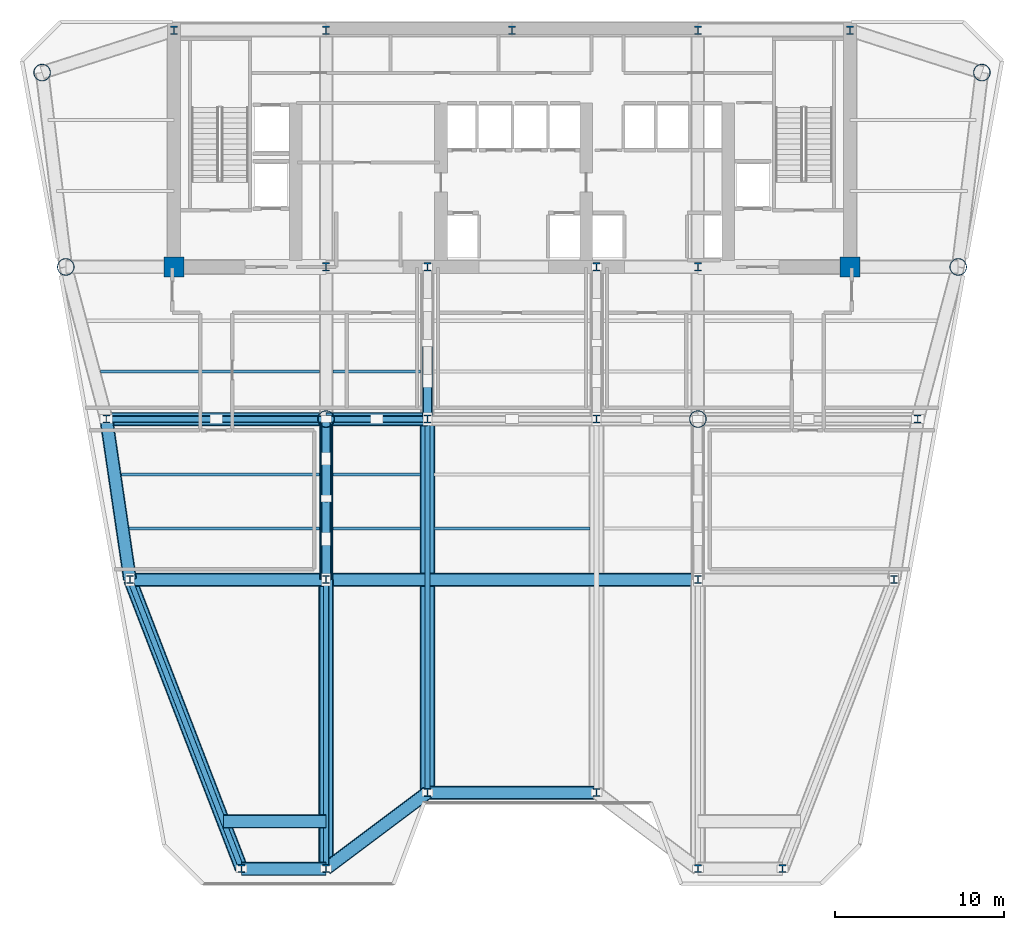
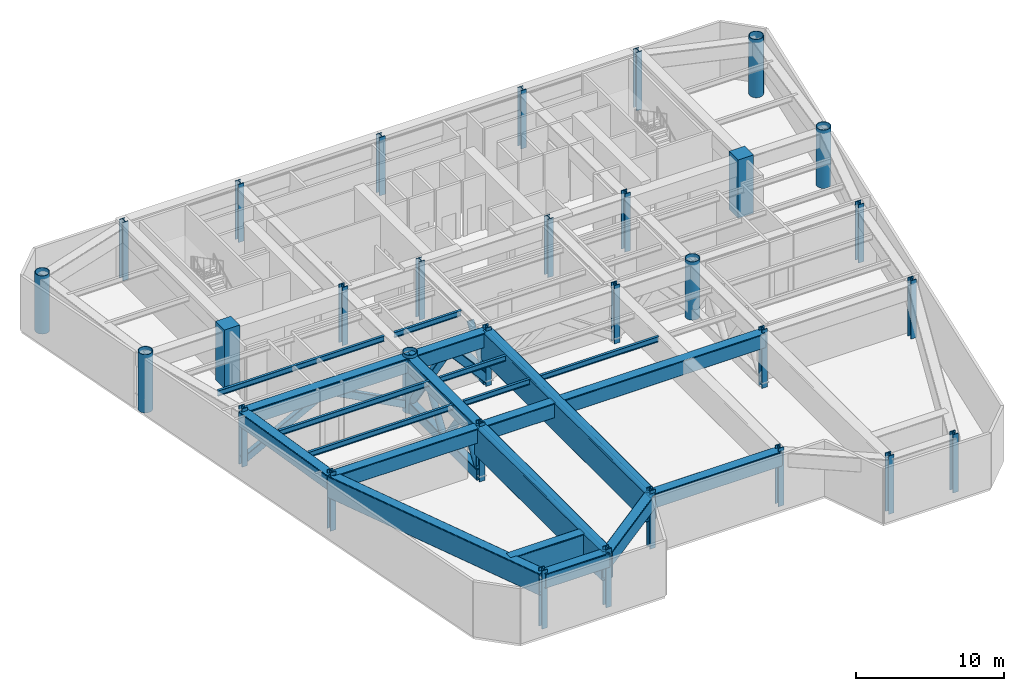
# One storey, part 1 of 10: 31 columns, 20 beams, 15 members.
"""IFC4 building model written with IfcOpenShell, lengths in metres."""

from ifc_helpers import new_model, si_unit, direction, frame, origin, origin_2d, place, context, subcontext, project, spatial, rectangle, hollow_rectangle, hollow_circle, i_section, extrude, source, transform, mapped, material, material_profile, profile_set, type_object, element, save


model = new_model("IFC4")

# Units and contexts
model_context = context("Model", 3, precision=1e-05, world=origin(), true_north=direction((0.0, 1.0)))
body_context = subcontext(model_context, "Body", "Model", "MODEL_VIEW")
ifc_project = project(units=[si_unit("LENGTHUNIT", "METRE"), si_unit("AREAUNIT", "SQUARE_METRE"), si_unit("VOLUMEUNIT", "CUBIC_METRE"), si_unit("PLANEANGLEUNIT", "RADIAN"), si_unit("MASSUNIT", "GRAM", prefix="KILO")], contexts=[model_context])

# Site, building, storey
site_placement = place(None, origin())
site = spatial("IfcSite", under=ifc_project, at=site_placement, CompositionType="ELEMENT")
building_placement = place(site_placement, origin())
building = spatial("IfcBuilding", under=site, at=building_placement, Name="Vaeldorn Concourse Tower", CompositionType="ELEMENT")
storey_placement = place(building_placement, frame((0.0, 0.0, 149.0)))
storey = spatial("IfcBuildingStorey", under=building, at=storey_placement, Name="L38", CompositionType="ELEMENT", Elevation=149.0)

# Columns
ifc_material_1 = material(Name="Concrete C50/60", Category="concrete")
ifc_material_profile_1 = material_profile(ifc_material_1, rectangle(XDim=1.199951171875, YDim=1.199951171875, at=origin_2d()), Name="RC 1200x1200")
ifc_profile_set_1 = profile_set([ifc_material_profile_1], Name="Concrete C50/60")
column_type_1 = type_object("IfcColumnType", Name="COL-RC1200", PredefinedType="COLUMN", material=ifc_profile_set_1)
shared_shape_1 = source(origin(), body_context, "Body", "SweptSolid", [
    extrude(rectangle(XDim=1.199951171875, YDim=1.199951171875, at=origin_2d()), origin(), (0.0, 0.0, 1.0), 4.800048828125),
])
for number, where, z_axis, x_axis, name in (
    (1, (14.0, 36.5, 0.0), (0.0, 0.0, 1.0), (1.0, 0.0, 0.0), "Column C-FC1 L38"),
    (2, (54.0, 36.5, 0.0), (0.0, 0.0, 1.0), (1.0, 0.0, 0.0), "Column C-FC6 L38"),
):
    element("IfcColumn", number, at=place(storey_placement, frame(where, z_axis=z_axis, x_axis=x_axis)), inside=storey, type_object=column_type_1, Name=name, PredefinedType="COLUMN", context=body_context, shape_type="MappedRepresentation", body=[
        mapped(shared_shape_1, transform((0.0, 0.0, 0.0), scale=1.0)),
    ])
ifc_material_2 = material(Name="Steel S460", Category="steel")
ifc_material_profile_2 = material_profile(ifc_material_2, i_section(OverallWidth=0.431884765625, OverallDepth=0.498046875, WebThickness=0.054931640625, FlangeThickness=0.068115234375, FilletRadius=0.014892578125, at=origin_2d()), Name="HD 400x744")
ifc_profile_set_2 = profile_set([ifc_material_profile_2], Name="Steel S460")
column_type_2 = type_object("IfcColumnType", Name="COL-HD744", PredefinedType="COLUMN", material=ifc_profile_set_2)
shared_shape_2 = source(origin(), body_context, "Body", "SweptSolid", [
    extrude(i_section(OverallWidth=0.431884765625, OverallDepth=0.498046875, WebThickness=0.054931640625, FlangeThickness=0.068115234375, FilletRadius=0.014892578125, at=origin_2d()), origin(), (0.0, 0.0, 1.0), 4.800048828125),
])
for number, where, z_axis, x_axis, name in (
    (3, (23.0, 36.5, 0.0), (0.0, 0.0, 1.0), (1.0, 0.0, 0.0), "Column C-FC2 L38"),
    (4, (29.0, 36.5, 0.0), (0.0, 0.0, 1.0), (1.0, 0.0, 0.0), "Column C-FC3 L38"),
    (5, (39.0, 36.5, 0.0), (0.0, 0.0, 1.0), (1.0, 0.0, 0.0), "Column C-FC4 L38"),
    (6, (45.0, 36.5, 0.0), (0.0, 0.0, 1.0), (1.0, 0.0, 0.0), "Column C-FC5 L38"),
    (7, (14.0, 50.5, 0.0), (0.0, 0.0, 1.0), (1.0, 0.0, 0.0), "Column C-HC1 L38"),
    (8, (23.0, 50.5, 0.0), (0.0, 0.0, 1.0), (1.0, 0.0, 0.0), "Column C-HC2 L38"),
    (9, (34.0, 50.5, 0.0), (0.0, 0.0, 1.0), (1.0, 0.0, 0.0), "Column C-HC3 L38"),
    (10, (45.0, 50.5, 0.0), (0.0, 0.0, 1.0), (1.0, 0.0, 0.0), "Column C-HC4 L38"),
    (11, (54.0, 50.5, 0.0), (0.0, 0.0, 1.0), (1.0, 0.0, 0.0), "Column C-HC5 L38"),
):
    element("IfcColumn", number, at=place(storey_placement, frame(where, z_axis=z_axis, x_axis=x_axis)), inside=storey, type_object=column_type_2, Name=name, PredefinedType="COLUMN", context=body_context, shape_type="MappedRepresentation", body=[
        mapped(shared_shape_2, transform((0.0, 0.0, 0.0), scale=1.0)),
    ])
ifc_material_profile_3 = material_profile(ifc_material_2, hollow_circle(Radius=0.508056640625, WallThickness=0.044921875, at=origin_2d()), Name="CHS 1016x45")
ifc_profile_set_3 = profile_set([ifc_material_profile_3], Name="Steel S460")
column_type_3 = type_object("IfcColumnType", Name="COL-CHS1016", PredefinedType="COLUMN", material=ifc_profile_set_3)
shared_shape_3 = source(origin(), body_context, "Body", "SweptSolid", [
    extrude(hollow_circle(Radius=0.508056640625, WallThickness=0.044921875, at=origin_2d()), origin(), (0.0, 0.0, 1.0), 4.800048828125),
])
for number, where, z_axis, x_axis, name in (
    (12, (6.199951171875, 48.0, 0.0), (0.0, 0.0, 1.0), (1.0, 0.0, 0.0), "Column C-NW1 L38"),
    (13, (7.60009765625, 36.5, 0.0), (0.0, 0.0, 1.0), (1.0, 0.0, 0.0), "Column C-NW2 L38"),
    (14, (61.800048828125, 48.0, 0.0), (0.0, 0.0, 1.0), (1.0, 0.0, 0.0), "Column C-NE1 L38"),
    (15, (60.39990234375, 36.5, 0.0), (0.0, 0.0, 1.0), (1.0, 0.0, 0.0), "Column C-NE2 L38"),
    (16, (23.0, 27.5, 0.0), (0.0, 0.0, 1.0), (1.0, 0.0, 0.0), "Column C-TW1 L38"),
    (17, (45.0, 27.5, 0.0), (0.0, 0.0, 1.0), (1.0, 0.0, 0.0), "Column C-TW4 L38"),
):
    element("IfcColumn", number, at=place(storey_placement, frame(where, z_axis=z_axis, x_axis=x_axis)), inside=storey, type_object=column_type_3, Name=name, PredefinedType="COLUMN", context=body_context, shape_type="MappedRepresentation", body=[
        mapped(shared_shape_3, transform((0.0, 0.0, 0.0), scale=1.0)),
    ])
ifc_material_profile_4 = material_profile(ifc_material_2, i_section(OverallWidth=0.424072265625, OverallDepth=0.47412109375, WebThickness=0.047119140625, FlangeThickness=0.06494140625, FilletRadius=0.014892578125, at=origin_2d()), Name="HD 400x634")
ifc_profile_set_4 = profile_set([ifc_material_profile_4], Name="Steel S460")
column_type_4 = type_object("IfcColumnType", Name="COL-HD634F", PredefinedType="COLUMN", material=ifc_profile_set_4)
shared_shape_4 = source(origin(), body_context, "Body", "SweptSolid", [
    extrude(i_section(OverallWidth=0.424072265625, OverallDepth=0.47412109375, WebThickness=0.047119140625, FlangeThickness=0.06494140625, FilletRadius=0.014892578125, at=origin_2d()), origin(), (0.0, 0.0, 1.0), 4.800048828125),
])
for number, where, z_axis, x_axis, name in (
    (18, (10.0, 27.5, 0.0), (0.0, 0.0, 1.0), (1.0, 0.0, 0.0), "Column C-FLW1 L38"),
    (19, (11.39990234375, 18.0, 0.0), (0.0, 0.0, 1.0), (1.0, 0.0, 0.0), "Column C-FLW2 L38"),
    (20, (58.0, 27.5, 0.0), (0.0, 0.0, 1.0), (1.0, 0.0, 0.0), "Column C-FLE1 L38"),
    (21, (56.60009765625, 18.0, 0.0), (0.0, 0.0, 1.0), (1.0, 0.0, 0.0), "Column C-FLE2 L38"),
):
    element("IfcColumn", number, at=place(storey_placement, frame(where, z_axis=z_axis, x_axis=x_axis)), inside=storey, type_object=column_type_4, Name=name, PredefinedType="COLUMN", context=body_context, shape_type="MappedRepresentation", body=[
        mapped(shared_shape_4, transform((0.0, 0.0, 0.0), scale=1.0)),
    ])
ifc_material_profile_5 = material_profile(ifc_material_2, i_section(OverallWidth=0.424072265625, OverallDepth=0.47412109375, WebThickness=0.047119140625, FlangeThickness=0.06494140625, FilletRadius=0.014892578125, at=origin_2d()), Name="HD 400x634")
ifc_profile_set_5 = profile_set([ifc_material_profile_5], Name="Steel S460")
column_type_5 = type_object("IfcColumnType", Name="COL-HD634T", PredefinedType="COLUMN", material=ifc_profile_set_5)
shared_shape_5 = source(origin(), body_context, "Body", "SweptSolid", [
    extrude(i_section(OverallWidth=0.424072265625, OverallDepth=0.47412109375, WebThickness=0.047119140625, FlangeThickness=0.06494140625, FilletRadius=0.014892578125, at=origin_2d()), origin(), (0.0, 0.0, 1.0), 4.800048828125),
])
for number, where, z_axis, x_axis, name in (
    (22, (29.0, 27.5, 0.0), (0.0, 0.0, 1.0), (1.0, 0.0, 0.0), "Column C-TW2 L38"),
    (23, (39.0, 27.5, 0.0), (0.0, 0.0, 1.0), (1.0, 0.0, 0.0), "Column C-TW3 L38"),
    (24, (23.0, 18.0, 0.0), (0.0, 0.0, 1.0), (1.0, 0.0, 0.0), "Column C-TW5 L38"),
    (25, (45.0, 18.0, 0.0), (0.0, 0.0, 1.0), (1.0, 0.0, 0.0), "Column C-TW6 L38"),
    (26, (18.0, 0.89990234375, 0.0), (0.0, 0.0, 1.0), (1.0, 0.0, 0.0), "Column C-SF1 L38"),
    (27, (23.0, 0.89990234375, 0.0), (0.0, 0.0, 1.0), (1.0, 0.0, 0.0), "Column C-SF2 L38"),
    (28, (29.0, 5.39990234375, 0.0), (0.0, 0.0, 1.0), (1.0, 0.0, 0.0), "Column C-SF3 L38"),
    (29, (39.0, 5.39990234375, 0.0), (0.0, 0.0, 1.0), (1.0, 0.0, 0.0), "Column C-SF4 L38"),
    (30, (45.0, 0.89990234375, 0.0), (0.0, 0.0, 1.0), (1.0, 0.0, 0.0), "Column C-SF5 L38"),
    (31, (50.0, 0.89990234375, 0.0), (0.0, 0.0, 1.0), (1.0, 0.0, 0.0), "Column C-SF6 L38"),
):
    element("IfcColumn", number, at=place(storey_placement, frame(where, z_axis=z_axis, x_axis=x_axis)), inside=storey, type_object=column_type_5, Name=name, PredefinedType="COLUMN", context=body_context, shape_type="MappedRepresentation", body=[
        mapped(shared_shape_5, transform((0.0, 0.0, 0.0), scale=1.0)),
    ])

# Beams
ifc_material_profile_6 = material_profile(ifc_material_2, hollow_rectangle(XDim=0.800048828125, YDim=1.199951171875, WallThickness=0.044921875, InnerFilletRadius=0.044921875, OuterFilletRadius=0.090087890625, at=origin_2d()), Name="RHS 1200x800x45")
ifc_profile_set_6 = profile_set([ifc_material_profile_6], Name="Steel S460")
beam_type_1 = type_object("IfcBeamType", Name="BM-TG-RHS1200", PredefinedType="BEAM", material=ifc_profile_set_6)
shared_shape_6 = source(origin(), body_context, "Body", "SweptSolid", [
    extrude(hollow_rectangle(XDim=0.800048828125, YDim=1.199951171875, WallThickness=0.044921875, InnerFilletRadius=0.044921875, OuterFilletRadius=0.090087890625, at=origin_2d()), origin(), (0.0, 0.0, 1.0), 6.0),
])
beam_1_placement = place(storey_placement, frame((23.0, 27.5, 3.93994140625), z_axis=(1.0, 0.0, 0.0), x_axis=(0.0, 1.0, 0.0)))
element("IfcBeam", 32, at=beam_1_placement, inside=storey, type_object=beam_type_1, Name="Beam BM-L38-C-TW1-C-TW2", PredefinedType="BEAM", context=body_context, shape_type="MappedRepresentation", body=[
    mapped(shared_shape_6, transform((0.0, 0.0, 0.0), scale=1.0)),
])
shared_shape_7 = source(origin(), body_context, "Body", "SweptSolid", [
    extrude(hollow_rectangle(XDim=0.800048828125, YDim=1.199951171875, WallThickness=0.044921875, InnerFilletRadius=0.044921875, OuterFilletRadius=0.090087890625, at=origin_2d()), origin(), (0.0, 0.0, 1.0), 10.0),
])
beam_2_placement = place(storey_placement, frame((29.0, 5.39990234375, 3.93994140625), z_axis=(1.0, 0.0, 0.0), x_axis=(0.0, 1.0, 0.0)))
element("IfcBeam", 33, at=beam_2_placement, inside=storey, type_object=beam_type_1, Name="Beam BM-L38-C-SF3-C-SF4", PredefinedType="BEAM", context=body_context, shape_type="MappedRepresentation", body=[
    mapped(shared_shape_7, transform((0.0, 0.0, 0.0), scale=1.0)),
])
ifc_material_profile_7 = material_profile(ifc_material_2, hollow_rectangle(XDim=0.89990234375, YDim=2.39990234375, WallThickness=0.06005859375, InnerFilletRadius=0.06005859375, OuterFilletRadius=0.1201171875, at=origin_2d()), Name="RHS 2400x900x60")
ifc_profile_set_7 = profile_set([ifc_material_profile_7], Name="Steel S460")
beam_type_2 = type_object("IfcBeamType", Name="BM-TG-BOX2400", PredefinedType="BEAM", material=ifc_profile_set_7)
shared_shape_8 = source(origin(), body_context, "Body", "SweptSolid", [
    extrude(hollow_rectangle(XDim=0.89990234375, YDim=2.39990234375, WallThickness=0.06005859375, InnerFilletRadius=0.06005859375, OuterFilletRadius=0.1201171875, at=origin_2d()), origin(), (0.0, 0.0, 1.0), 22.10009765625),
])
beam_3_placement = place(storey_placement, frame((29.0, 5.39990234375, 3.340087890625), z_axis=(0.0, 1.0, 0.0), x_axis=(-1.0, 0.0, 0.0)))
element("IfcBeam", 34, at=beam_3_placement, inside=storey, type_object=beam_type_2, Name="Beam BM-SETBACK-L38-C-SF3", PredefinedType="BEAM", context=body_context, shape_type="MappedRepresentation", body=[
    mapped(shared_shape_8, transform((0.0, 0.0, 0.0), scale=1.0)),
])
shared_shape_9 = source(origin(), body_context, "Body", "SweptSolid", [
    extrude(hollow_rectangle(XDim=0.800048828125, YDim=1.199951171875, WallThickness=0.044921875, InnerFilletRadius=0.044921875, OuterFilletRadius=0.090087890625, at=origin_2d()), origin(), (0.0, 0.0, 1.0), 13.0),
])
beam_4_placement = place(storey_placement, frame((10.0, 27.5, 3.93994140625), z_axis=(1.0, 0.0, 0.0), x_axis=(0.0, 1.0, 0.0)))
element("IfcBeam", 35, at=beam_4_placement, inside=storey, type_object=beam_type_1, Name="Beam BM-L38-C-FLW1-C-TW1", PredefinedType="BEAM", context=body_context, shape_type="MappedRepresentation", body=[
    mapped(shared_shape_9, transform((0.0, 0.0, 0.0), scale=1.0)),
])
shared_shape_10 = source(origin(), body_context, "Body", "SweptSolid", [
    extrude(hollow_rectangle(XDim=0.800048828125, YDim=1.199951171875, WallThickness=0.044921875, InnerFilletRadius=0.044921875, OuterFilletRadius=0.090087890625, at=origin_2d()), origin(), (0.0, 0.0, 1.0), 11.60009765625),
])
beam_5_placement = place(storey_placement, frame((11.39990234375, 18.0, 3.93994140625), z_axis=(1.0, 0.0, 0.0), x_axis=(0.0, 1.0, 0.0)))
element("IfcBeam", 36, at=beam_5_placement, inside=storey, type_object=beam_type_1, Name="Beam BM-L38-C-FLW2-C-TW5", PredefinedType="BEAM", context=body_context, shape_type="MappedRepresentation", body=[
    mapped(shared_shape_10, transform((0.0, 0.0, 0.0), scale=1.0)),
])
shared_shape_11 = source(origin(), body_context, "Body", "SweptSolid", [
    extrude(hollow_rectangle(XDim=0.800048828125, YDim=1.199951171875, WallThickness=0.044921875, InnerFilletRadius=0.044921875, OuterFilletRadius=0.090087890625, at=origin_2d()), origin(), (0.0, 0.0, 1.0), 22.0),
])
beam_6_placement = place(storey_placement, frame((23.0, 18.0, 3.93994140625), z_axis=(1.0, 0.0, 0.0), x_axis=(0.0, 1.0, 0.0)))
element("IfcBeam", 37, at=beam_6_placement, inside=storey, type_object=beam_type_1, Name="Beam BM-L38-C-TW5-C-TW6", PredefinedType="BEAM", context=body_context, shape_type="MappedRepresentation", body=[
    mapped(shared_shape_11, transform((0.0, 0.0, 0.0), scale=1.0)),
])
shared_shape_12 = source(origin(), body_context, "Body", "SweptSolid", [
    extrude(hollow_rectangle(XDim=0.800048828125, YDim=1.199951171875, WallThickness=0.044921875, InnerFilletRadius=0.044921875, OuterFilletRadius=0.090087890625, at=origin_2d()), origin(), (0.0, 0.0, 1.0), 5.0),
])
beam_7_placement = place(storey_placement, frame((18.0, 0.89990234375, 3.93994140625), z_axis=(1.0, 0.0, 0.0), x_axis=(0.0, 1.0, 0.0)))
element("IfcBeam", 38, at=beam_7_placement, inside=storey, type_object=beam_type_1, Name="Beam BM-L38-C-SF1-C-SF2", PredefinedType="BEAM", context=body_context, shape_type="MappedRepresentation", body=[
    mapped(shared_shape_12, transform((0.0, 0.0, 0.0), scale=1.0)),
])
shared_shape_13 = source(origin(), body_context, "Body", "SweptSolid", [
    extrude(hollow_rectangle(XDim=0.800048828125, YDim=1.199951171875, WallThickness=0.044921875, InnerFilletRadius=0.044921875, OuterFilletRadius=0.090087890625, at=origin_2d()), origin(), (0.0, 0.0, 1.0), 7.5),
])
beam_8_placement = place(storey_placement, frame((23.0, 0.89990234375, 3.93994140625), z_axis=(0.8, 0.6, 0.0), x_axis=(-0.6, 0.8, 0.0)))
element("IfcBeam", 39, at=beam_8_placement, inside=storey, type_object=beam_type_1, Name="Beam BM-L38-C-SF2-C-SF3", PredefinedType="BEAM", context=body_context, shape_type="MappedRepresentation", body=[
    mapped(shared_shape_13, transform((0.0, 0.0, 0.0), scale=1.0)),
])
shared_shape_14 = source(origin(), body_context, "Body", "SweptSolid", [
    extrude(hollow_rectangle(XDim=0.800048828125, YDim=1.199951171875, WallThickness=0.044921875, InnerFilletRadius=0.044921875, OuterFilletRadius=0.090087890625, at=origin_2d()), origin(), (0.0, 0.0, 1.0), 9.6025390625),
])
beam_9_placement = place(storey_placement, frame((10.0, 27.5, 3.93994140625), z_axis=(0.145783835977, -0.989316467652, 0.0), x_axis=(0.989316467652, 0.145783835977, 0.0)))
element("IfcBeam", 40, at=beam_9_placement, inside=storey, type_object=beam_type_1, Name="Beam BM-L38-C-FLW1-C-FLW2", PredefinedType="BEAM", context=body_context, shape_type="MappedRepresentation", body=[
    mapped(shared_shape_14, transform((0.0, 0.0, 0.0), scale=1.0)),
])
shared_shape_15 = source(origin(), body_context, "Body", "SweptSolid", [
    extrude(hollow_rectangle(XDim=0.89990234375, YDim=2.39990234375, WallThickness=0.06005859375, InnerFilletRadius=0.06005859375, OuterFilletRadius=0.1201171875, at=origin_2d()), origin(), (0.0, 0.0, 1.0), 17.10009765625),
])
beam_10_placement = place(storey_placement, frame((23.0, 0.89990234375, 3.340087890625), z_axis=(0.0, 1.0, 0.0), x_axis=(-1.0, 0.0, 0.0)))
element("IfcBeam", 41, at=beam_10_placement, inside=storey, type_object=beam_type_2, Name="Beam BM-SETBACK-L38-C-SF2", PredefinedType="BEAM", context=body_context, shape_type="MappedRepresentation", body=[
    mapped(shared_shape_15, transform((0.0, 0.0, 0.0), scale=1.0)),
])
ifc_material_profile_8 = material_profile(ifc_material_2, hollow_rectangle(XDim=0.800048828125, YDim=1.800048828125, WallThickness=0.050048828125, InnerFilletRadius=0.050048828125, OuterFilletRadius=0.10009765625, at=origin_2d()), Name="RHS 1800x800x50")
ifc_profile_set_8 = profile_set([ifc_material_profile_8], Name="Steel S460")
beam_type_3 = type_object("IfcBeamType", Name="BM-TG-BOX1800", PredefinedType="BEAM", material=ifc_profile_set_8)
shared_shape_16 = source(origin(), body_context, "Body", "SweptSolid", [
    extrude(hollow_rectangle(XDim=0.800048828125, YDim=1.800048828125, WallThickness=0.050048828125, InnerFilletRadius=0.050048828125, OuterFilletRadius=0.10009765625, at=origin_2d()), origin(), (0.0, 0.0, 1.0), 18.32958984375),
])
beam_11_placement = place(storey_placement, frame((18.0, 0.89990234375, 3.639892578125), z_axis=(-0.36007844134, 0.932922031084, 0.0), x_axis=(-0.932922031084, -0.36007844134, 0.0)))
element("IfcBeam", 42, at=beam_11_placement, inside=storey, type_object=beam_type_3, Name="Beam BM-SETBACK-FL-L38-C-SF1", PredefinedType="BEAM", context=body_context, shape_type="MappedRepresentation", body=[
    mapped(shared_shape_16, transform((0.0, 0.0, 0.0), scale=1.0)),
])
shared_shape_17 = source(origin(), body_context, "Body", "SweptSolid", [
    extrude(hollow_rectangle(XDim=0.800048828125, YDim=1.800048828125, WallThickness=0.050048828125, InnerFilletRadius=0.050048828125, OuterFilletRadius=0.10009765625, at=origin_2d()), origin(), (0.0, 0.0, 1.0), 6.080810546875),
])
beam_12_placement = place(storey_placement, frame((16.919189453125, 3.699951171875, 3.639892578125), z_axis=(1.0, 0.0, 0.0), x_axis=(0.0, 1.0, 0.0)))
element("IfcBeam", 43, at=beam_12_placement, inside=storey, type_object=beam_type_3, Name="Beam BM-SETBACK-EW-L38-C-SF1", PredefinedType="BEAM", context=body_context, shape_type="MappedRepresentation", body=[
    mapped(shared_shape_17, transform((0.0, 0.0, 0.0), scale=1.0)),
])
shared_shape_18 = source(origin(), body_context, "Body", "SweptSolid", [
    extrude(hollow_rectangle(XDim=0.800048828125, YDim=1.199951171875, WallThickness=0.044921875, InnerFilletRadius=0.044921875, OuterFilletRadius=0.090087890625, at=origin_2d()), origin(), (0.0, 0.0, 1.0), 9.5),
])
beam_13_placement = place(storey_placement, frame((23.0, 18.0, 3.93994140625), z_axis=(0.0, 1.0, 0.0), x_axis=(-1.0, 0.0, 0.0)))
element("IfcBeam", 44, at=beam_13_placement, inside=storey, type_object=beam_type_1, Name="Beam BM-L38-C-TW5-C-TW1", PredefinedType="BEAM", context=body_context, shape_type="MappedRepresentation", body=[
    mapped(shared_shape_18, transform((0.0, 0.0, 0.0), scale=1.0)),
])
ifc_material_3 = material(Name="Steel S355", Category="steel")
ifc_material_profile_9 = material_profile(ifc_material_3, i_section(OverallWidth=0.18994140625, OverallDepth=0.449951171875, WebThickness=0.009521484375, FlangeThickness=0.0146484375, FilletRadius=0.02099609375, at=origin_2d()), Name="IPE 450")
ifc_profile_set_9 = profile_set([ifc_material_profile_9], Name="Steel S355")
beam_type_4 = type_object("IfcBeamType", Name="BM-JS-IPE450", PredefinedType="JOIST", material=ifc_profile_set_9)
shared_shape_19 = source(origin(), body_context, "Body", "SweptSolid", [
    extrude(i_section(OverallWidth=0.18994140625, OverallDepth=0.449951171875, WebThickness=0.009521484375, FlangeThickness=0.0146484375, FilletRadius=0.02099609375, at=origin_2d()), origin(), (0.0, 0.0, 1.0), 11.2451171875),
])
beam_14_placement = place(storey_placement, frame((11.35498046875, 21.02001953125, 4.31494140625), z_axis=(1.0, 0.0, 0.0), x_axis=(0.0, 1.0, 0.0)))
element("IfcBeam", 45, at=beam_14_placement, inside=storey, type_object=beam_type_4, Name="Beam JS-L38-W1-210", PredefinedType="JOIST", context=body_context, shape_type="MappedRepresentation", body=[
    mapped(shared_shape_19, transform((0.0, 0.0, 0.0), scale=1.0)),
])
shared_shape_20 = source(origin(), body_context, "Body", "SweptSolid", [
    extrude(i_section(OverallWidth=0.18994140625, OverallDepth=0.449951171875, WebThickness=0.009521484375, FlangeThickness=0.0146484375, FilletRadius=0.02099609375, at=origin_2d()), origin(), (0.0, 0.0, 1.0), 5.2001953125),
])
for number, where, z_axis, x_axis, name in (
    (46, (23.39990234375, 21.02001953125, 4.31494140625), (1.0, 0.0, 0.0), (0.0, 1.0, 0.0), "Beam JS-L38-W2-210"),
    (47, (23.39990234375, 24.219970703125, 4.31494140625), (1.0, 0.0, 0.0), (0.0, 1.0, 0.0), "Beam JS-L38-W2-242"),
    (48, (23.39990234375, 30.320068359375, 4.31494140625), (1.0, 0.0, 0.0), (0.0, 1.0, 0.0), "Beam JS-L38-W2-303"),
):
    element("IfcBeam", number, at=place(storey_placement, frame(where, z_axis=z_axis, x_axis=x_axis)), inside=storey, type_object=beam_type_4, Name=name, PredefinedType="JOIST", context=body_context, shape_type="MappedRepresentation", body=[
        mapped(shared_shape_20, transform((0.0, 0.0, 0.0), scale=1.0)),
    ])
shared_shape_21 = source(origin(), body_context, "Body", "SweptSolid", [
    extrude(i_section(OverallWidth=0.18994140625, OverallDepth=0.449951171875, WebThickness=0.009521484375, FlangeThickness=0.0146484375, FilletRadius=0.02099609375, at=origin_2d()), origin(), (0.0, 0.0, 1.0), 9.2001953125),
])
beam_15_placement = place(storey_placement, frame((29.39990234375, 21.02001953125, 4.31494140625), z_axis=(1.0, 0.0, 0.0), x_axis=(0.0, 1.0, 0.0)))
element("IfcBeam", 49, at=beam_15_placement, inside=storey, type_object=beam_type_4, Name="Beam JS-L38-C-210", PredefinedType="JOIST", context=body_context, shape_type="MappedRepresentation", body=[
    mapped(shared_shape_21, transform((0.0, 0.0, 0.0), scale=1.0)),
])
shared_shape_22 = source(origin(), body_context, "Body", "SweptSolid", [
    extrude(i_section(OverallWidth=0.18994140625, OverallDepth=0.449951171875, WebThickness=0.009521484375, FlangeThickness=0.0146484375, FilletRadius=0.02099609375, at=origin_2d()), origin(), (0.0, 0.0, 1.0), 11.716796875),
])
beam_16_placement = place(storey_placement, frame((10.88330078125, 24.219970703125, 4.31494140625), z_axis=(1.0, 0.0, 0.0), x_axis=(0.0, 1.0, 0.0)))
element("IfcBeam", 50, at=beam_16_placement, inside=storey, type_object=beam_type_4, Name="Beam JS-L38-W1-242", PredefinedType="JOIST", context=body_context, shape_type="MappedRepresentation", body=[
    mapped(shared_shape_22, transform((0.0, 0.0, 0.0), scale=1.0)),
])
shared_shape_23 = source(origin(), body_context, "Body", "SweptSolid", [
    extrude(i_section(OverallWidth=0.18994140625, OverallDepth=0.449951171875, WebThickness=0.009521484375, FlangeThickness=0.0146484375, FilletRadius=0.02099609375, at=origin_2d()), origin(), (0.0, 0.0, 1.0), 12.9521484375),
])
beam_17_placement = place(storey_placement, frame((9.64794921875, 30.320068359375, 4.31494140625), z_axis=(1.0, 0.0, 0.0), x_axis=(0.0, 1.0, 0.0)))
element("IfcBeam", 51, at=beam_17_placement, inside=storey, type_object=beam_type_4, Name="Beam JS-L38-W1-303", PredefinedType="JOIST", context=body_context, shape_type="MappedRepresentation", body=[
    mapped(shared_shape_23, transform((0.0, 0.0, 0.0), scale=1.0)),
])

# Members
ifc_material_profile_10 = material_profile(ifc_material_2, hollow_rectangle(XDim=0.60009765625, YDim=0.89990234375, WallThickness=0.0400390625, InnerFilletRadius=0.0400390625, OuterFilletRadius=0.080078125, at=origin_2d()), Name="RHS 900x600x40")
ifc_profile_set_10 = profile_set([ifc_material_profile_10], Name="Steel S460")
member_type_1 = type_object("IfcMemberType", Name="MB-OT-CHORD1", PredefinedType="CHORD", material=ifc_profile_set_10)
shared_shape_24 = source(origin(), body_context, "Body", "SweptSolid", [
    extrude(hollow_rectangle(XDim=0.60009765625, YDim=0.89990234375, WallThickness=0.0400390625, InnerFilletRadius=0.0400390625, OuterFilletRadius=0.080078125, at=origin_2d()), origin(), (0.0, 0.0, 1.0), 4.699951171875),
])
member_1_placement = place(storey_placement, frame((23.0, 27.5, 0.449951171875), z_axis=(0.0, -1.0, 0.0), x_axis=(1.0, 0.0, 0.0)))
element("IfcMember", 52, at=member_1_placement, inside=storey, type_object=member_type_1, Name="Outrigger Bottom Chord L38 OT1.1", PredefinedType="CHORD", context=body_context, shape_type="MappedRepresentation", body=[
    mapped(shared_shape_24, transform((0.0, 0.0, 0.0), scale=1.0)),
])
ifc_material_profile_11 = material_profile(ifc_material_2, hollow_circle(Radius=0.25390625, WallThickness=0.02490234375, at=origin_2d()), Name="CHS 508x25")
ifc_profile_set_11 = profile_set([ifc_material_profile_11], Name="Steel S460")
member_type_2 = type_object("IfcMemberType", Name="MB-OT-DIAG1", PredefinedType="BRACE", material=ifc_profile_set_11)
shared_shape_25 = source(origin(), body_context, "Body", "SweptSolid", [
    extrude(hollow_circle(Radius=0.25390625, WallThickness=0.02490234375, at=origin_2d()), origin(), (0.0, 0.0, 1.0), 4.166015625),
])
for number, where, z_axis, x_axis, name in (
    (53, (23.0, 27.5, 0.449951171875), (0.0, -0.564103947014, 0.82570378282), (1.0, 0.0, 0.0), "Outrigger Truss Diagonal L38 OT1.1A"),
    (54, (23.0, 22.800048828125, 0.449951171875), (0.0, 0.564063990889, 0.82573107861), (-1.0, 0.0, 0.0), "Outrigger Truss Diagonal L38 OT1.1B"),
):
    element("IfcMember", number, at=place(storey_placement, frame(where, z_axis=z_axis, x_axis=x_axis)), inside=storey, type_object=member_type_2, Name=name, PredefinedType="BRACE", context=body_context, shape_type="MappedRepresentation", body=[
        mapped(shared_shape_25, transform((0.0, 0.0, 0.0), scale=1.0)),
    ])
shared_shape_26 = source(origin(), body_context, "Body", "SweptSolid", [
    extrude(hollow_rectangle(XDim=0.60009765625, YDim=0.89990234375, WallThickness=0.0400390625, InnerFilletRadius=0.0400390625, OuterFilletRadius=0.080078125, at=origin_2d()), origin(), (0.0, 0.0, 1.0), 4.800048828125),
])
member_2_placement = place(storey_placement, frame((23.0, 22.800048828125, 0.449951171875), z_axis=(0.0, -1.0, 0.0), x_axis=(1.0, 0.0, 0.0)))
element("IfcMember", 55, at=member_2_placement, inside=storey, type_object=member_type_1, Name="Outrigger Bottom Chord L38 OT1.2", PredefinedType="CHORD", context=body_context, shape_type="MappedRepresentation", body=[
    mapped(shared_shape_26, transform((0.0, 0.0, 0.0), scale=1.0)),
])
shared_shape_27 = source(origin(), body_context, "Body", "SweptSolid", [
    extrude(hollow_circle(Radius=0.25390625, WallThickness=0.02490234375, at=origin_2d()), origin(), (0.0, 0.0, 1.0), 4.194580078125),
])
member_3_placement = place(storey_placement, frame((23.0, 22.800048828125, 0.449951171875), z_axis=(0.0, -0.572211640255, 0.820105992391), x_axis=(1.0, 0.0, 0.0)))
element("IfcMember", 56, at=member_3_placement, inside=storey, type_object=member_type_2, Name="Outrigger Truss Diagonal L38 OT1.2A", PredefinedType="BRACE", context=body_context, shape_type="MappedRepresentation", body=[
    mapped(shared_shape_27, transform((0.0, 0.0, 0.0), scale=1.0)),
])
shared_shape_28 = source(origin(), body_context, "Body", "SweptSolid", [
    extrude(hollow_circle(Radius=0.25390625, WallThickness=0.02490234375, at=origin_2d()), origin(), (0.0, 0.0, 1.0), 4.1943359375),
])
member_4_placement = place(storey_placement, frame((23.0, 18.0, 0.449951171875), z_axis=(0.0, 0.572172491257, 0.820133306389), x_axis=(-1.0, 0.0, 0.0)))
element("IfcMember", 57, at=member_4_placement, inside=storey, type_object=member_type_2, Name="Outrigger Truss Diagonal L38 OT1.2B", PredefinedType="BRACE", context=body_context, shape_type="MappedRepresentation", body=[
    mapped(shared_shape_28, transform((0.0, 0.0, 0.0), scale=1.0)),
])
shared_shape_29 = source(origin(), body_context, "Body", "SweptSolid", [
    extrude(hollow_rectangle(XDim=0.60009765625, YDim=0.89990234375, WallThickness=0.0400390625, InnerFilletRadius=0.0400390625, OuterFilletRadius=0.080078125, at=origin_2d()), origin(), (0.0, 0.0, 1.0), 4.5),
])
member_5_placement = place(storey_placement, frame((29.0, 32.0, 0.449951171875), z_axis=(0.0, -1.0, 0.0), x_axis=(1.0, 0.0, 0.0)))
element("IfcMember", 58, at=member_5_placement, inside=storey, type_object=member_type_1, Name="Outrigger Bottom Chord L38 OT2.2", PredefinedType="CHORD", context=body_context, shape_type="MappedRepresentation", body=[
    mapped(shared_shape_29, transform((0.0, 0.0, 0.0), scale=1.0)),
])
shared_shape_30 = source(origin(), body_context, "Body", "SweptSolid", [
    extrude(hollow_circle(Radius=0.25390625, WallThickness=0.02490234375, at=origin_2d()), origin(), (0.0, 0.0, 1.0), 4.1103515625),
])
member_6_placement = place(storey_placement, frame((29.0, 27.5, 0.449951171875), z_axis=(0.0, 0.547386980315, 0.836879617258), x_axis=(-1.0, 0.0, 0.0)))
element("IfcMember", 59, at=member_6_placement, inside=storey, type_object=member_type_2, Name="Outrigger Truss Diagonal L38 OT2.2B", PredefinedType="BRACE", context=body_context, shape_type="MappedRepresentation", body=[
    mapped(shared_shape_30, transform((0.0, 0.0, 0.0), scale=1.0)),
])
ifc_material_profile_12 = material_profile(ifc_material_2, hollow_rectangle(XDim=0.39990234375, YDim=0.60009765625, WallThickness=0.030029296875, InnerFilletRadius=0.030029296875, OuterFilletRadius=0.06005859375, at=origin_2d()), Name="RHS 600x400x30")
ifc_profile_set_12 = profile_set([ifc_material_profile_12], Name="Steel S460")
member_type_3 = type_object("IfcMemberType", Name="MB-BT-BRACE1", PredefinedType="BRACE", material=ifc_profile_set_12)
shared_shape_31 = source(origin(), body_context, "Body", "SweptSolid", [
    extrude(hollow_rectangle(XDim=0.39990234375, YDim=0.60009765625, WallThickness=0.030029296875, InnerFilletRadius=0.030029296875, OuterFilletRadius=0.06005859375, at=origin_2d()), origin(), (0.0, 0.0, 1.0), 7.354248046875),
])
for number, where, z_axis, x_axis, name in (
    (60, (10.0, 27.5, 0.449951171875), (0.883857352752, 0.0, 0.467756539223), (0.0, 1.0, 0.0), "Belt Truss Chevron Brace L38-1A"),
    (61, (23.0, 27.5, 0.449951171875), (-0.883857352752, 0.0, 0.467756539223), (0.0, -1.0, 0.0), "Belt Truss Chevron Brace L38-1B"),
):
    element("IfcMember", number, at=place(storey_placement, frame(where, z_axis=z_axis, x_axis=x_axis)), inside=storey, type_object=member_type_3, Name=name, PredefinedType="BRACE", context=body_context, shape_type="MappedRepresentation", body=[
        mapped(shared_shape_31, transform((0.0, 0.0, 0.0), scale=1.0)),
    ])
shared_shape_32 = source(origin(), body_context, "Body", "SweptSolid", [
    extrude(hollow_rectangle(XDim=0.39990234375, YDim=0.60009765625, WallThickness=0.030029296875, InnerFilletRadius=0.030029296875, OuterFilletRadius=0.06005859375, at=origin_2d()), origin(), (0.0, 0.0, 1.0), 4.564453125),
])
for number, where, z_axis, x_axis, name in (
    (62, (23.0, 27.5, 0.449951171875), (0.657269221512, 0.0, 0.753655870045), (0.0, 1.0, 0.0), "Belt Truss Chevron Brace L38-2A"),
    (63, (29.0, 27.5, 0.449951171875), (-0.657269221512, 0.0, 0.753655870045), (0.0, -1.0, 0.0), "Belt Truss Chevron Brace L38-2B"),
):
    element("IfcMember", number, at=place(storey_placement, frame(where, z_axis=z_axis, x_axis=x_axis)), inside=storey, type_object=member_type_3, Name=name, PredefinedType="BRACE", context=body_context, shape_type="MappedRepresentation", body=[
        mapped(shared_shape_32, transform((0.0, 0.0, 0.0), scale=1.0)),
    ])
ifc_material_profile_13 = material_profile(ifc_material_2, hollow_circle(Radius=0.161865234375, WallThickness=0.01611328125, at=origin_2d()), Name="CHS 323.9x16")
ifc_profile_set_13 = profile_set([ifc_material_profile_13], Name="Steel S460")
member_type_4 = type_object("IfcMemberType", Name="MB-KINK-STRUT", PredefinedType="STRUT", material=ifc_profile_set_13)
shared_shape_33 = source(origin(), body_context, "Body", "SweptSolid", [
    extrude(hollow_circle(Radius=0.161865234375, WallThickness=0.01611328125, at=origin_2d()), origin(), (0.0, 0.0, 1.0), 18.32958984375),
])
member_7_placement = place(storey_placement, frame((18.0, 0.89990234375, 4.18994140625), z_axis=(-0.36007844134, 0.932922031084, 0.0), x_axis=(-0.932922031084, -0.36007844134, 0.0)))
element("IfcMember", 64, at=member_7_placement, inside=storey, type_object=member_type_4, Name="Accordion Pleat Kink Tie Strut L38-1", PredefinedType="STRUT", context=body_context, shape_type="MappedRepresentation", body=[
    mapped(shared_shape_33, transform((0.0, 0.0, 0.0), scale=1.0)),
])
shared_shape_34 = source(origin(), body_context, "Body", "SweptSolid", [
    extrude(hollow_circle(Radius=0.161865234375, WallThickness=0.01611328125, at=origin_2d()), origin(), (0.0, 0.0, 1.0), 17.10009765625),
])
member_8_placement = place(storey_placement, frame((23.0, 0.89990234375, 4.18994140625), z_axis=(0.0, 1.0, 0.0), x_axis=(-1.0, 0.0, 0.0)))
element("IfcMember", 65, at=member_8_placement, inside=storey, type_object=member_type_4, Name="Accordion Pleat Kink Tie Strut L38-2", PredefinedType="STRUT", context=body_context, shape_type="MappedRepresentation", body=[
    mapped(shared_shape_34, transform((0.0, 0.0, 0.0), scale=1.0)),
])
shared_shape_35 = source(origin(), body_context, "Body", "SweptSolid", [
    extrude(hollow_circle(Radius=0.161865234375, WallThickness=0.01611328125, at=origin_2d()), origin(), (0.0, 0.0, 1.0), 22.10009765625),
])
member_9_placement = place(storey_placement, frame((29.0, 5.39990234375, 4.18994140625), z_axis=(0.0, 1.0, 0.0), x_axis=(-1.0, 0.0, 0.0)))
element("IfcMember", 66, at=member_9_placement, inside=storey, type_object=member_type_4, Name="Accordion Pleat Kink Tie Strut L38-3", PredefinedType="STRUT", context=body_context, shape_type="MappedRepresentation", body=[
    mapped(shared_shape_35, transform((0.0, 0.0, 0.0), scale=1.0)),
])

save(model, "model.ifc")
